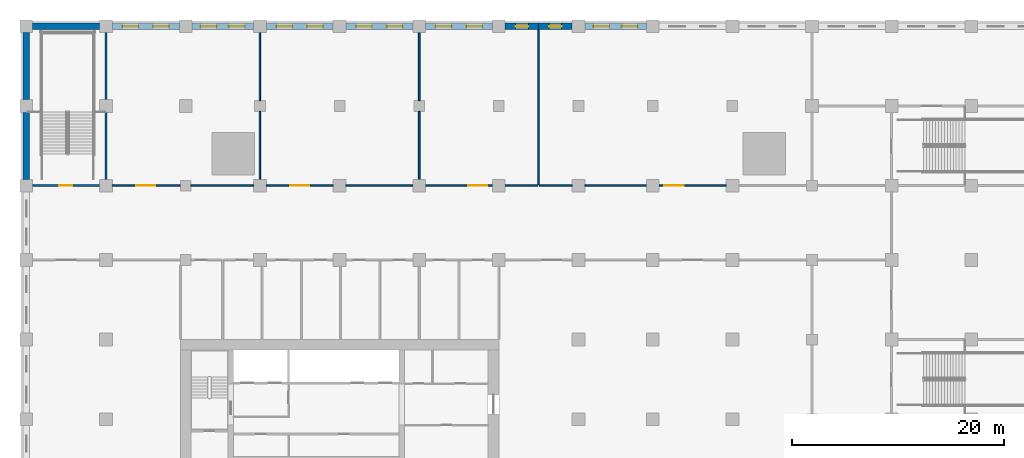
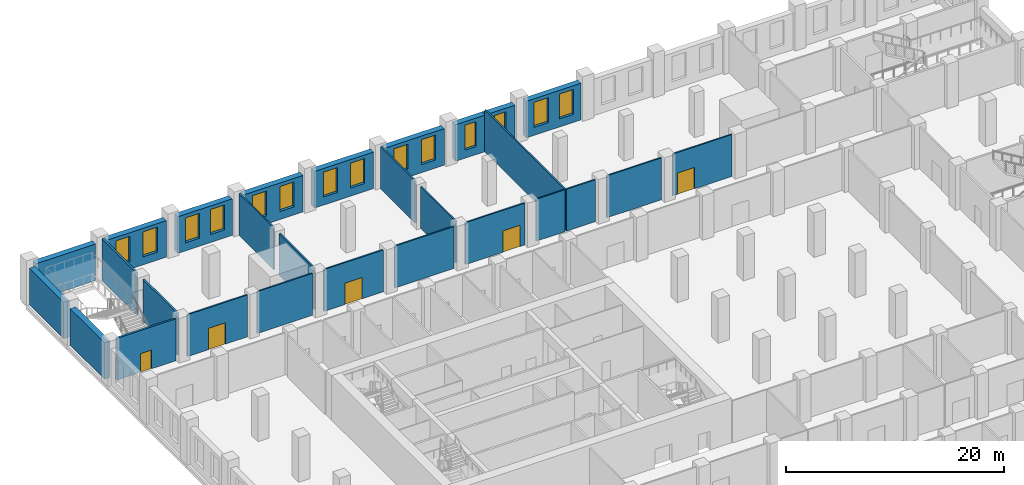
# One storey, part 9 of 32: 28 walls, 14 windows, 5 doors, 19 openings.
"""IFC4 building model written with IfcOpenShell, lengths in metres."""

from ifc_helpers import new_model, si_unit, direction, frame, frame_2d, origin, place, context, subcontext, project, spatial, rectangle, extrude, material, layer, layer_set, type_object, element, fill, save


model = new_model("IFC4")

# Units and contexts
model_context = context("Model", 3, precision=1e-05, world=origin(), true_north=direction((0.0, 1.0)))
body_context = subcontext(model_context, "Body", "Model", "MODEL_VIEW")
ifc_project = project(units=[si_unit("LENGTHUNIT", "METRE"), si_unit("AREAUNIT", "SQUARE_METRE"), si_unit("VOLUMEUNIT", "CUBIC_METRE"), si_unit("PLANEANGLEUNIT", "RADIAN"), si_unit("MASSUNIT", "GRAM", prefix="KILO")], contexts=[model_context])

# Site, building, storey
site_placement = place(None, origin())
site = spatial("IfcSite", under=ifc_project, at=site_placement, CompositionType="ELEMENT")
building_placement = place(site_placement, origin())
building = spatial("IfcBuilding", under=site, at=building_placement, Name="Tamorin Gate", CompositionType="ELEMENT")
storey_placement = place(building_placement, frame((0.0, 0.0, 13.5)))
storey = spatial("IfcBuildingStorey", under=building, at=storey_placement, Name="L02", CompositionType="ELEMENT", Elevation=13.5)

# Wall, opening, door
ifc_material_1 = material(Name="Concrete masonry C20/25", Category="masonry")
ifc_layer_1 = layer(ifc_material_1, 0.14990234375)
ifc_layer_set_1 = layer_set([ifc_layer_1], Name="Partition 150")
wall_type_1 = type_object("IfcWallType", Name="Partition 150", PredefinedType="PARTITIONING", material=ifc_layer_set_1)
wall_1_placement = place(storey_placement, frame((30.0, 97.0, 0.0), z_axis=(0.0, 0.0, 1.0), x_axis=(-1.0, 0.0, 0.0)))
wall_1 = element("IfcWall", 1, at=wall_1_placement, inside=storey, type_object=wall_type_1, Name="Partition 150 L02", PredefinedType="PARTITIONING", context=body_context, shape_type="SweptSolid", body=[
    extrude(rectangle(XDim=6.39990234375, YDim=0.14990234375, at=frame_2d((3.199951171875, 0.0))), origin(), (0.0, 0.0, 1.0), 4.699951171875),
])
opening_1_placement = place(wall_1_placement, frame((2.35009765625, 0.0, 0.0)))
opening_1 = element("IfcOpeningElement", 2, at=opening_1_placement, cuts=wall_1, Name="Opening DP3", PredefinedType="OPENING", context=body_context, shape_type="SweptSolid", body=[
    extrude(rectangle(XDim=1.800048828125, YDim=2.39990234375, at=frame_2d((0.89990234375, 1.199951171875))), frame((0.0, 0.0849609375, 0.0), z_axis=(0.0, -1.0, 0.0), x_axis=(1.0, 0.0, 0.0)), (0.0, 0.0, 1.0), 0.169921875),
])
ifc_material_2 = material(Name="Steel and glass", Category="steel")
door_type_1 = type_object("IfcDoorType", Name="Door pair 1800", OperationType="DOUBLE_DOOR_SINGLE_SWING", PredefinedType="DOOR", material=ifc_material_2)
door_1_placement = place(opening_1_placement, origin())
door_1 = element("IfcDoor", 3, at=door_1_placement, inside=storey, type_object=door_type_1, Name="Door pair 1800 L02", OperationType="SINGLE_SWING_LEFT", OverallHeight=2.39990234375, OverallWidth=1.800048828125, PredefinedType="DOOR", context=body_context, shape_type="SweptSolid", body=[
    extrude(rectangle(XDim=1.800048828125, YDim=2.39990234375, at=frame_2d((0.89990234375, 1.199951171875))), frame((0.0, 0.02490234375, 0.0), z_axis=(0.0, -1.0, 0.0), x_axis=(1.0, 0.0, 0.0)), (0.0, 0.0, 1.0), 0.050048828125),
])
fill(opening_1, door_1)

# Wall
wall_2_placement = place(storey_placement, frame((31.0, 97.0, 0.0), z_axis=(0.0, 0.0, 1.0), x_axis=(1.0, 0.0, 0.0)))
element("IfcWall", 4, at=wall_2_placement, inside=storey, type_object=wall_type_1, Name="Partition 150 L02", PredefinedType="PARTITIONING", context=body_context, shape_type="SweptSolid", body=[
    extrude(rectangle(XDim=5.89990234375, YDim=0.14990234375, at=frame_2d((2.949951171875, 0.0))), origin(), (0.0, 0.0, 1.0), 4.699951171875),
])

# Wall, opening, door
wall_3_placement = place(storey_placement, frame((44.39990234375, 97.0, 0.0), z_axis=(0.0, 0.0, 1.0), x_axis=(-1.0, 0.0, 0.0)))
wall_3 = element("IfcWall", 5, at=wall_3_placement, inside=storey, type_object=wall_type_1, Name="Partition 150 L02", PredefinedType="PARTITIONING", context=body_context, shape_type="SweptSolid", body=[
    extrude(rectangle(XDim=6.2998046875, YDim=0.14990234375, at=frame_2d((3.14990234375, 0.0))), origin(), (0.0, 0.0, 1.0), 4.699951171875),
])
opening_2_placement = place(wall_3_placement, frame((2.25, 0.0, 0.0)))
opening_2 = element("IfcOpeningElement", 6, at=opening_2_placement, cuts=wall_3, Name="Opening DP3", PredefinedType="OPENING", context=body_context, shape_type="SweptSolid", body=[
    extrude(rectangle(XDim=1.800048828125, YDim=2.39990234375, at=frame_2d((0.89990234375, 1.199951171875))), frame((0.0, 0.0849609375, 0.0), z_axis=(0.0, -1.0, 0.0), x_axis=(1.0, 0.0, 0.0)), (0.0, 0.0, 1.0), 0.169921875),
])
door_2_placement = place(opening_2_placement, origin())
door_2 = element("IfcDoor", 7, at=door_2_placement, inside=storey, type_object=door_type_1, Name="Door pair 1800 L02", OperationType="SINGLE_SWING_LEFT", OverallHeight=2.39990234375, OverallWidth=1.800048828125, PredefinedType="DOOR", context=body_context, shape_type="SweptSolid", body=[
    extrude(rectangle(XDim=1.800048828125, YDim=2.39990234375, at=frame_2d((0.89990234375, 1.199951171875))), frame((0.0, 0.02490234375, 0.0), z_axis=(0.0, -1.0, 0.0), x_axis=(1.0, 0.0, 0.0)), (0.0, 0.0, 1.0), 0.050048828125),
])
fill(opening_2, door_2)

# Wall
wall_4_placement = place(storey_placement, frame((45.60009765625, 97.0, 0.0), z_axis=(0.0, 0.0, 1.0), x_axis=(1.0, 0.0, 0.0)))
element("IfcWall", 8, at=wall_4_placement, inside=storey, type_object=wall_type_1, Name="Partition 150 L02", PredefinedType="PARTITIONING", context=body_context, shape_type="SweptSolid", body=[
    extrude(rectangle(XDim=6.2998046875, YDim=0.14990234375, at=frame_2d((3.14990234375, 0.0))), origin(), (0.0, 0.0, 1.0), 4.699951171875),
])

# Wall, opening, door
wall_5_placement = place(storey_placement, frame((59.39990234375, 97.0, 0.0), z_axis=(0.0, 0.0, 1.0), x_axis=(-1.0, 0.0, 0.0)))
wall_5 = element("IfcWall", 9, at=wall_5_placement, inside=storey, type_object=wall_type_1, Name="Partition 150 L02", PredefinedType="PARTITIONING", context=body_context, shape_type="SweptSolid", body=[
    extrude(rectangle(XDim=6.2998046875, YDim=0.14990234375, at=frame_2d((3.14990234375, 0.0))), origin(), (0.0, 0.0, 1.0), 4.699951171875),
])
opening_3_placement = place(wall_5_placement, frame((0.5, 0.0, 0.0)))
opening_3 = element("IfcOpeningElement", 10, at=opening_3_placement, cuts=wall_5, Name="Opening DP3", PredefinedType="OPENING", context=body_context, shape_type="SweptSolid", body=[
    extrude(rectangle(XDim=1.800048828125, YDim=2.39990234375, at=frame_2d((0.89990234375, 1.199951171875))), frame((0.0, 0.0849609375, 0.0), z_axis=(0.0, -1.0, 0.0), x_axis=(1.0, 0.0, 0.0)), (0.0, 0.0, 1.0), 0.169921875),
])
door_3_placement = place(opening_3_placement, origin())
door_3 = element("IfcDoor", 11, at=door_3_placement, inside=storey, type_object=door_type_1, Name="Door pair 1800 L02", OperationType="SINGLE_SWING_LEFT", OverallHeight=2.39990234375, OverallWidth=1.800048828125, PredefinedType="DOOR", context=body_context, shape_type="SweptSolid", body=[
    extrude(rectangle(XDim=1.800048828125, YDim=2.39990234375, at=frame_2d((0.89990234375, 1.199951171875))), frame((0.0, 0.02490234375, 0.0), z_axis=(0.0, -1.0, 0.0), x_axis=(1.0, 0.0, 0.0)), (0.0, 0.0, 1.0), 0.050048828125),
])
fill(opening_3, door_3)

# Walls
for number, where, z_axis, x_axis, name in (
    (12, (60.60009765625, 97.0, 0.0), (0.0, 0.0, 1.0), (1.0, 0.0, 0.0), "Partition 150 L02"),
    (13, (63.824951171875, 97.0, 0.0), (0.0, 0.0, 1.0), (1.0, 0.0, 0.0), "Partition 150 L02"),
):
    element("IfcWall", number, at=place(storey_placement, frame(where, z_axis=z_axis, x_axis=x_axis)), inside=storey, type_object=wall_type_1, Name=name, PredefinedType="PARTITIONING", context=body_context, shape_type="SweptSolid", body=[
        extrude(rectangle(XDim=3.074951171875, YDim=0.14990234375, at=frame_2d((1.53759765625, 0.0))), origin(), (0.0, 0.0, 1.0), 4.699951171875),
    ])
wall_6_placement = place(storey_placement, frame((68.10009765625, 97.0, 0.0), z_axis=(0.0, 0.0, 1.0), x_axis=(1.0, 0.0, 0.0)))
element("IfcWall", 14, at=wall_6_placement, inside=storey, type_object=wall_type_1, Name="Partition 150 L02", PredefinedType="PARTITIONING", context=body_context, shape_type="SweptSolid", body=[
    extrude(rectangle(XDim=5.7998046875, YDim=0.14990234375, at=frame_2d((2.89990234375, 0.0))), origin(), (0.0, 0.0, 1.0), 4.699951171875),
])

# Wall, opening, door
wall_7_placement = place(storey_placement, frame((81.39990234375, 97.0, 0.0), z_axis=(0.0, 0.0, 1.0), x_axis=(-1.0, 0.0, 0.0)))
wall_7 = element("IfcWall", 15, at=wall_7_placement, inside=storey, type_object=wall_type_1, Name="Partition 150 L02", PredefinedType="PARTITIONING", context=body_context, shape_type="SweptSolid", body=[
    extrude(rectangle(XDim=6.2998046875, YDim=0.14990234375, at=frame_2d((3.14990234375, 0.0))), origin(), (0.0, 0.0, 1.0), 4.699951171875),
])
opening_4_placement = place(wall_7_placement, frame((4.0, 0.0, 0.0)))
opening_4 = element("IfcOpeningElement", 16, at=opening_4_placement, cuts=wall_7, Name="Opening DP3", PredefinedType="OPENING", context=body_context, shape_type="SweptSolid", body=[
    extrude(rectangle(XDim=1.800048828125, YDim=2.39990234375, at=frame_2d((0.89990234375, 1.199951171875))), frame((0.0, 0.0849609375, 0.0), z_axis=(0.0, -1.0, 0.0), x_axis=(1.0, 0.0, 0.0)), (0.0, 0.0, 1.0), 0.169921875),
])
door_4_placement = place(opening_4_placement, origin())
door_4 = element("IfcDoor", 17, at=door_4_placement, inside=storey, type_object=door_type_1, Name="Door pair 1800 L02", OperationType="SINGLE_SWING_LEFT", OverallHeight=2.39990234375, OverallWidth=1.800048828125, PredefinedType="DOOR", context=body_context, shape_type="SweptSolid", body=[
    extrude(rectangle(XDim=1.800048828125, YDim=2.39990234375, at=frame_2d((0.89990234375, 1.199951171875))), frame((0.0, 0.02490234375, 0.0), z_axis=(0.0, -1.0, 0.0), x_axis=(1.0, 0.0, 0.0)), (0.0, 0.0, 1.0), 0.050048828125),
])
fill(opening_4, door_4)

# Walls
wall_8_placement = place(storey_placement, frame((63.75, 97.074951171875, 0.0), z_axis=(0.0, 0.0, 1.0), x_axis=(0.0, 1.0, 0.0)))
element("IfcWall", 18, at=wall_8_placement, inside=storey, type_object=wall_type_1, Name="Partition 150 L02", PredefinedType="PARTITIONING", context=body_context, shape_type="SweptSolid", body=[
    extrude(rectangle(XDim=14.625, YDim=0.14990234375, at=frame_2d((7.3125, 0.0))), origin(), (0.0, 0.0, 1.0), 4.699951171875),
])
for number, where, z_axis, x_axis, name in (
    (19, (37.5, 97.60009765625, 0.0), (0.0, 0.0, 1.0), (0.0, 1.0, 0.0), "Partition 150 L02"),
    (20, (37.5, 105.0, 0.0), (0.0, 0.0, 1.0), (0.0, 1.0, 0.0), "Partition 150 L02"),
    (21, (52.5, 97.60009765625, 0.0), (0.0, 0.0, 1.0), (0.0, 1.0, 0.0), "Partition 150 L02"),
    (22, (52.5, 105.0, 0.0), (0.0, 0.0, 1.0), (0.0, 1.0, 0.0), "Partition 150 L02"),
):
    element("IfcWall", number, at=place(storey_placement, frame(where, z_axis=z_axis, x_axis=x_axis)), inside=storey, type_object=wall_type_1, Name=name, PredefinedType="PARTITIONING", context=body_context, shape_type="SweptSolid", body=[
        extrude(rectangle(XDim=6.39990234375, YDim=0.14990234375, at=frame_2d((3.199951171875, 0.0))), origin(), (0.0, 0.0, 1.0), 4.699951171875),
    ])
ifc_material_3 = material(Name="Precast concrete C40/50", Category="concrete")
ifc_layer_2 = layer(ifc_material_3, 0.60009765625)
ifc_layer_set_2 = layer_set([ifc_layer_2], Name="Precast concrete C40/50")
wall_type_2 = type_object("IfcWallType", Name="Precast plinth wall 600", PredefinedType="PARTITIONING", material=ifc_layer_set_2)
wall_9_placement = place(storey_placement, frame((16.10009765625, 112.0, 0.0), z_axis=(0.0, 0.0, 1.0), x_axis=(1.0, 0.0, 0.0)))
element("IfcWall", 23, at=wall_9_placement, inside=storey, type_object=wall_type_2, Name="Precast plinth wall 600 L02", PredefinedType="PARTITIONING", context=body_context, shape_type="SweptSolid", body=[
    extrude(rectangle(XDim=6.2998046875, YDim=0.60009765625, at=frame_2d((3.14990234375, 0.0))), origin(), (0.0, 0.0, 1.0), 4.10009765625),
])

# Wall, openings, windows
wall_10_placement = place(storey_placement, frame((23.60009765625, 112.0, 0.0), z_axis=(0.0, 0.0, 1.0), x_axis=(1.0, 0.0, 0.0)))
wall_10 = element("IfcWall", 24, at=wall_10_placement, inside=storey, type_object=wall_type_2, Name="Precast plinth wall 600 L02", PredefinedType="PARTITIONING", context=body_context, shape_type="SweptSolid", body=[
    extrude(rectangle(XDim=6.2998046875, YDim=0.60009765625, at=frame_2d((3.14990234375, 0.0))), origin(), (0.0, 0.0, 1.0), 4.10009765625),
])
opening_5_placement = place(wall_10_placement, frame((0.950927734375, 0.0, 0.89990234375)))
opening_5 = element("IfcOpeningElement", 25, at=opening_5_placement, cuts=wall_10, Name="Opening PWN5", PredefinedType="OPENING", context=body_context, shape_type="SweptSolid", body=[
    extrude(rectangle(XDim=1.5, YDim=2.800048828125, at=frame_2d((0.75, 1.39990234375))), frame((0.0, 0.31005859375, 0.0), z_axis=(0.0, -1.0, 0.0), x_axis=(1.0, 0.0, 0.0)), (0.0, 0.0, 1.0), 0.6201171875),
])
opening_6_placement = place(wall_10_placement, frame((3.84912109375, 0.0, 0.89990234375)))
opening_6 = element("IfcOpeningElement", 26, at=opening_6_placement, cuts=wall_10, Name="Opening PWN5", PredefinedType="OPENING", context=body_context, shape_type="SweptSolid", body=[
    extrude(rectangle(XDim=1.5, YDim=2.800048828125, at=frame_2d((0.75, 1.39990234375))), frame((0.0, 0.31005859375, 0.0), z_axis=(0.0, -1.0, 0.0), x_axis=(1.0, 0.0, 0.0)), (0.0, 0.0, 1.0), 0.6201171875),
])
ifc_material_4 = material(Name="Aluminium and glass", Category="aluminium")
window_type_1 = type_object("IfcWindowType", Name="Plinth window 1500x2800", PartitioningType="DOUBLE_PANEL_VERTICAL", PredefinedType="WINDOW", material=ifc_material_4)
window_1_placement = place(opening_5_placement, origin())
window_1 = element("IfcWindow", 27, at=window_1_placement, inside=storey, type_object=window_type_1, Name="Plinth window 1500x2800", OverallHeight=2.800048828125, OverallWidth=1.5, PartitioningType="SINGLE_PANEL", PredefinedType="WINDOW", context=body_context, shape_type="SweptSolid", body=[
    extrude(rectangle(XDim=1.5, YDim=2.800048828125, at=frame_2d((0.75, 1.39990234375))), frame((0.0, 0.030029296875, 0.0), z_axis=(0.0, -1.0, 0.0), x_axis=(1.0, 0.0, 0.0)), (0.0, 0.0, 1.0), 0.06005859375),
])
fill(opening_5, window_1)
window_2_placement = place(opening_6_placement, origin())
window_2 = element("IfcWindow", 28, at=window_2_placement, inside=storey, type_object=window_type_1, Name="Plinth window 1500x2800", OverallHeight=2.800048828125, OverallWidth=1.5, PartitioningType="SINGLE_PANEL", PredefinedType="WINDOW", context=body_context, shape_type="SweptSolid", body=[
    extrude(rectangle(XDim=1.5, YDim=2.800048828125, at=frame_2d((0.75, 1.39990234375))), frame((0.0, 0.030029296875, 0.0), z_axis=(0.0, -1.0, 0.0), x_axis=(1.0, 0.0, 0.0)), (0.0, 0.0, 1.0), 0.06005859375),
])
fill(opening_6, window_2)

wall_11_placement = place(storey_placement, frame((31.10009765625, 112.0, 0.0), z_axis=(0.0, 0.0, 1.0), x_axis=(1.0, 0.0, 0.0)))
wall_11 = element("IfcWall", 29, at=wall_11_placement, inside=storey, type_object=wall_type_2, Name="Precast plinth wall 600 L02", PredefinedType="PARTITIONING", context=body_context, shape_type="SweptSolid", body=[
    extrude(rectangle(XDim=5.7998046875, YDim=0.60009765625, at=frame_2d((2.89990234375, 0.0))), origin(), (0.0, 0.0, 1.0), 4.10009765625),
])
opening_7_placement = place(wall_11_placement, frame((0.81591796875, 0.0, 0.89990234375)))
opening_7 = element("IfcOpeningElement", 30, at=opening_7_placement, cuts=wall_11, Name="Opening PWN5", PredefinedType="OPENING", context=body_context, shape_type="SweptSolid", body=[
    extrude(rectangle(XDim=1.5, YDim=2.800048828125, at=frame_2d((0.75, 1.39990234375))), frame((0.0, 0.31005859375, 0.0), z_axis=(0.0, -1.0, 0.0), x_axis=(1.0, 0.0, 0.0)), (0.0, 0.0, 1.0), 0.6201171875),
])
opening_8_placement = place(wall_11_placement, frame((3.48388671875, 0.0, 0.89990234375)))
opening_8 = element("IfcOpeningElement", 31, at=opening_8_placement, cuts=wall_11, Name="Opening PWN5", PredefinedType="OPENING", context=body_context, shape_type="SweptSolid", body=[
    extrude(rectangle(XDim=1.5, YDim=2.800048828125, at=frame_2d((0.75, 1.39990234375))), frame((0.0, 0.31005859375, 0.0), z_axis=(0.0, -1.0, 0.0), x_axis=(1.0, 0.0, 0.0)), (0.0, 0.0, 1.0), 0.6201171875),
])
window_3_placement = place(opening_7_placement, origin())
window_3 = element("IfcWindow", 32, at=window_3_placement, inside=storey, type_object=window_type_1, Name="Plinth window 1500x2800", OverallHeight=2.800048828125, OverallWidth=1.5, PartitioningType="SINGLE_PANEL", PredefinedType="WINDOW", context=body_context, shape_type="SweptSolid", body=[
    extrude(rectangle(XDim=1.5, YDim=2.800048828125, at=frame_2d((0.75, 1.39990234375))), frame((0.0, 0.030029296875, 0.0), z_axis=(0.0, -1.0, 0.0), x_axis=(1.0, 0.0, 0.0)), (0.0, 0.0, 1.0), 0.06005859375),
])
fill(opening_7, window_3)
window_4_placement = place(opening_8_placement, origin())
window_4 = element("IfcWindow", 33, at=window_4_placement, inside=storey, type_object=window_type_1, Name="Plinth window 1500x2800", OverallHeight=2.800048828125, OverallWidth=1.5, PartitioningType="SINGLE_PANEL", PredefinedType="WINDOW", context=body_context, shape_type="SweptSolid", body=[
    extrude(rectangle(XDim=1.5, YDim=2.800048828125, at=frame_2d((0.75, 1.39990234375))), frame((0.0, 0.030029296875, 0.0), z_axis=(0.0, -1.0, 0.0), x_axis=(1.0, 0.0, 0.0)), (0.0, 0.0, 1.0), 0.06005859375),
])
fill(opening_8, window_4)

wall_12_placement = place(storey_placement, frame((38.10009765625, 112.0, 0.0), z_axis=(0.0, 0.0, 1.0), x_axis=(1.0, 0.0, 0.0)))
wall_12 = element("IfcWall", 34, at=wall_12_placement, inside=storey, type_object=wall_type_2, Name="Precast plinth wall 600 L02", PredefinedType="PARTITIONING", context=body_context, shape_type="SweptSolid", body=[
    extrude(rectangle(XDim=6.2998046875, YDim=0.60009765625, at=frame_2d((3.14990234375, 0.0))), origin(), (0.0, 0.0, 1.0), 4.10009765625),
])
opening_9_placement = place(wall_12_placement, frame((0.950927734375, 0.0, 0.89990234375)))
opening_9 = element("IfcOpeningElement", 35, at=opening_9_placement, cuts=wall_12, Name="Opening PWN5", PredefinedType="OPENING", context=body_context, shape_type="SweptSolid", body=[
    extrude(rectangle(XDim=1.5, YDim=2.800048828125, at=frame_2d((0.75, 1.39990234375))), frame((0.0, 0.31005859375, 0.0), z_axis=(0.0, -1.0, 0.0), x_axis=(1.0, 0.0, 0.0)), (0.0, 0.0, 1.0), 0.6201171875),
])
opening_10_placement = place(wall_12_placement, frame((3.84912109375, 0.0, 0.89990234375)))
opening_10 = element("IfcOpeningElement", 36, at=opening_10_placement, cuts=wall_12, Name="Opening PWN5", PredefinedType="OPENING", context=body_context, shape_type="SweptSolid", body=[
    extrude(rectangle(XDim=1.5, YDim=2.800048828125, at=frame_2d((0.75, 1.39990234375))), frame((0.0, 0.31005859375, 0.0), z_axis=(0.0, -1.0, 0.0), x_axis=(1.0, 0.0, 0.0)), (0.0, 0.0, 1.0), 0.6201171875),
])
window_5_placement = place(opening_9_placement, origin())
window_5 = element("IfcWindow", 37, at=window_5_placement, inside=storey, type_object=window_type_1, Name="Plinth window 1500x2800", OverallHeight=2.800048828125, OverallWidth=1.5, PartitioningType="SINGLE_PANEL", PredefinedType="WINDOW", context=body_context, shape_type="SweptSolid", body=[
    extrude(rectangle(XDim=1.5, YDim=2.800048828125, at=frame_2d((0.75, 1.39990234375))), frame((0.0, 0.030029296875, 0.0), z_axis=(0.0, -1.0, 0.0), x_axis=(1.0, 0.0, 0.0)), (0.0, 0.0, 1.0), 0.06005859375),
])
fill(opening_9, window_5)
window_6_placement = place(opening_10_placement, origin())
window_6 = element("IfcWindow", 38, at=window_6_placement, inside=storey, type_object=window_type_1, Name="Plinth window 1500x2800", OverallHeight=2.800048828125, OverallWidth=1.5, PartitioningType="SINGLE_PANEL", PredefinedType="WINDOW", context=body_context, shape_type="SweptSolid", body=[
    extrude(rectangle(XDim=1.5, YDim=2.800048828125, at=frame_2d((0.75, 1.39990234375))), frame((0.0, 0.030029296875, 0.0), z_axis=(0.0, -1.0, 0.0), x_axis=(1.0, 0.0, 0.0)), (0.0, 0.0, 1.0), 0.06005859375),
])
fill(opening_10, window_6)

wall_13_placement = place(storey_placement, frame((45.60009765625, 112.0, 0.0), z_axis=(0.0, 0.0, 1.0), x_axis=(1.0, 0.0, 0.0)))
wall_13 = element("IfcWall", 39, at=wall_13_placement, inside=storey, type_object=wall_type_2, Name="Precast plinth wall 600 L02", PredefinedType="PARTITIONING", context=body_context, shape_type="SweptSolid", body=[
    extrude(rectangle(XDim=6.2998046875, YDim=0.60009765625, at=frame_2d((3.14990234375, 0.0))), origin(), (0.0, 0.0, 1.0), 4.10009765625),
])
opening_11_placement = place(wall_13_placement, frame((0.950927734375, 0.0, 0.89990234375)))
opening_11 = element("IfcOpeningElement", 40, at=opening_11_placement, cuts=wall_13, Name="Opening PWN5", PredefinedType="OPENING", context=body_context, shape_type="SweptSolid", body=[
    extrude(rectangle(XDim=1.5, YDim=2.800048828125, at=frame_2d((0.75, 1.39990234375))), frame((0.0, 0.31005859375, 0.0), z_axis=(0.0, -1.0, 0.0), x_axis=(1.0, 0.0, 0.0)), (0.0, 0.0, 1.0), 0.6201171875),
])
opening_12_placement = place(wall_13_placement, frame((3.84912109375, 0.0, 0.89990234375)))
opening_12 = element("IfcOpeningElement", 41, at=opening_12_placement, cuts=wall_13, Name="Opening PWN5", PredefinedType="OPENING", context=body_context, shape_type="SweptSolid", body=[
    extrude(rectangle(XDim=1.5, YDim=2.800048828125, at=frame_2d((0.75, 1.39990234375))), frame((0.0, 0.31005859375, 0.0), z_axis=(0.0, -1.0, 0.0), x_axis=(1.0, 0.0, 0.0)), (0.0, 0.0, 1.0), 0.6201171875),
])
window_7_placement = place(opening_11_placement, origin())
window_7 = element("IfcWindow", 42, at=window_7_placement, inside=storey, type_object=window_type_1, Name="Plinth window 1500x2800", OverallHeight=2.800048828125, OverallWidth=1.5, PartitioningType="SINGLE_PANEL", PredefinedType="WINDOW", context=body_context, shape_type="SweptSolid", body=[
    extrude(rectangle(XDim=1.5, YDim=2.800048828125, at=frame_2d((0.75, 1.39990234375))), frame((0.0, 0.030029296875, 0.0), z_axis=(0.0, -1.0, 0.0), x_axis=(1.0, 0.0, 0.0)), (0.0, 0.0, 1.0), 0.06005859375),
])
fill(opening_11, window_7)
window_8_placement = place(opening_12_placement, origin())
window_8 = element("IfcWindow", 43, at=window_8_placement, inside=storey, type_object=window_type_1, Name="Plinth window 1500x2800", OverallHeight=2.800048828125, OverallWidth=1.5, PartitioningType="SINGLE_PANEL", PredefinedType="WINDOW", context=body_context, shape_type="SweptSolid", body=[
    extrude(rectangle(XDim=1.5, YDim=2.800048828125, at=frame_2d((0.75, 1.39990234375))), frame((0.0, 0.030029296875, 0.0), z_axis=(0.0, -1.0, 0.0), x_axis=(1.0, 0.0, 0.0)), (0.0, 0.0, 1.0), 0.06005859375),
])
fill(opening_12, window_8)

wall_14_placement = place(storey_placement, frame((53.10009765625, 112.0, 0.0), z_axis=(0.0, 0.0, 1.0), x_axis=(1.0, 0.0, 0.0)))
wall_14 = element("IfcWall", 44, at=wall_14_placement, inside=storey, type_object=wall_type_2, Name="Precast plinth wall 600 L02", PredefinedType="PARTITIONING", context=body_context, shape_type="SweptSolid", body=[
    extrude(rectangle(XDim=6.2998046875, YDim=0.60009765625, at=frame_2d((3.14990234375, 0.0))), origin(), (0.0, 0.0, 1.0), 4.10009765625),
])
opening_13_placement = place(wall_14_placement, frame((0.950927734375, 0.0, 0.89990234375)))
opening_13 = element("IfcOpeningElement", 45, at=opening_13_placement, cuts=wall_14, Name="Opening PWN5", PredefinedType="OPENING", context=body_context, shape_type="SweptSolid", body=[
    extrude(rectangle(XDim=1.5, YDim=2.800048828125, at=frame_2d((0.75, 1.39990234375))), frame((0.0, 0.31005859375, 0.0), z_axis=(0.0, -1.0, 0.0), x_axis=(1.0, 0.0, 0.0)), (0.0, 0.0, 1.0), 0.6201171875),
])
opening_14_placement = place(wall_14_placement, frame((3.84912109375, 0.0, 0.89990234375)))
opening_14 = element("IfcOpeningElement", 46, at=opening_14_placement, cuts=wall_14, Name="Opening PWN5", PredefinedType="OPENING", context=body_context, shape_type="SweptSolid", body=[
    extrude(rectangle(XDim=1.5, YDim=2.800048828125, at=frame_2d((0.75, 1.39990234375))), frame((0.0, 0.31005859375, 0.0), z_axis=(0.0, -1.0, 0.0), x_axis=(1.0, 0.0, 0.0)), (0.0, 0.0, 1.0), 0.6201171875),
])
window_9_placement = place(opening_13_placement, origin())
window_9 = element("IfcWindow", 47, at=window_9_placement, inside=storey, type_object=window_type_1, Name="Plinth window 1500x2800", OverallHeight=2.800048828125, OverallWidth=1.5, PartitioningType="SINGLE_PANEL", PredefinedType="WINDOW", context=body_context, shape_type="SweptSolid", body=[
    extrude(rectangle(XDim=1.5, YDim=2.800048828125, at=frame_2d((0.75, 1.39990234375))), frame((0.0, 0.030029296875, 0.0), z_axis=(0.0, -1.0, 0.0), x_axis=(1.0, 0.0, 0.0)), (0.0, 0.0, 1.0), 0.06005859375),
])
fill(opening_13, window_9)
window_10_placement = place(opening_14_placement, origin())
window_10 = element("IfcWindow", 48, at=window_10_placement, inside=storey, type_object=window_type_1, Name="Plinth window 1500x2800", OverallHeight=2.800048828125, OverallWidth=1.5, PartitioningType="SINGLE_PANEL", PredefinedType="WINDOW", context=body_context, shape_type="SweptSolid", body=[
    extrude(rectangle(XDim=1.5, YDim=2.800048828125, at=frame_2d((0.75, 1.39990234375))), frame((0.0, 0.030029296875, 0.0), z_axis=(0.0, -1.0, 0.0), x_axis=(1.0, 0.0, 0.0)), (0.0, 0.0, 1.0), 0.06005859375),
])
fill(opening_14, window_10)

# Wall, opening, window
wall_15_placement = place(storey_placement, frame((60.60009765625, 112.0, 0.0), z_axis=(0.0, 0.0, 1.0), x_axis=(1.0, 0.0, 0.0)))
wall_15 = element("IfcWall", 49, at=wall_15_placement, inside=storey, type_object=wall_type_2, Name="Precast plinth wall 600 L02", PredefinedType="PARTITIONING", context=body_context, shape_type="SweptSolid", body=[
    extrude(rectangle(XDim=3.14990234375, YDim=0.60009765625, at=frame_2d((1.574951171875, 0.0))), origin(), (0.0, 0.0, 1.0), 4.10009765625),
])
opening_15_placement = place(wall_15_placement, frame((0.97509765625, 0.0, 0.89990234375)))
opening_15 = element("IfcOpeningElement", 50, at=opening_15_placement, cuts=wall_15, Name="Opening PWN4", PredefinedType="OPENING", context=body_context, shape_type="SweptSolid", body=[
    extrude(rectangle(XDim=1.199951171875, YDim=2.800048828125, at=frame_2d((0.60009765625, 1.39990234375))), frame((0.0, 0.31005859375, 0.0), z_axis=(0.0, -1.0, 0.0), x_axis=(1.0, 0.0, 0.0)), (0.0, 0.0, 1.0), 0.6201171875),
])
window_type_2 = type_object("IfcWindowType", Name="Plinth window 1200x2800", PartitioningType="DOUBLE_PANEL_VERTICAL", PredefinedType="WINDOW", material=ifc_material_4)
window_11_placement = place(opening_15_placement, origin())
window_11 = element("IfcWindow", 51, at=window_11_placement, inside=storey, type_object=window_type_2, Name="Plinth window 1200x2800", OverallHeight=2.800048828125, OverallWidth=1.199951171875, PartitioningType="SINGLE_PANEL", PredefinedType="WINDOW", context=body_context, shape_type="SweptSolid", body=[
    extrude(rectangle(XDim=1.199951171875, YDim=2.800048828125, at=frame_2d((0.60009765625, 1.39990234375))), frame((0.0, 0.030029296875, 0.0), z_axis=(0.0, -1.0, 0.0), x_axis=(1.0, 0.0, 0.0)), (0.0, 0.0, 1.0), 0.06005859375),
])
fill(opening_15, window_11)

wall_16_placement = place(storey_placement, frame((63.75, 112.0, 0.0), z_axis=(0.0, 0.0, 1.0), x_axis=(1.0, 0.0, 0.0)))
wall_16 = element("IfcWall", 52, at=wall_16_placement, inside=storey, type_object=wall_type_2, Name="Precast plinth wall 600 L02", PredefinedType="PARTITIONING", context=body_context, shape_type="SweptSolid", body=[
    extrude(rectangle(XDim=3.14990234375, YDim=0.60009765625, at=frame_2d((1.574951171875, 0.0))), origin(), (0.0, 0.0, 1.0), 4.10009765625),
])
opening_16_placement = place(wall_16_placement, frame((0.97509765625, 0.0, 0.89990234375)))
opening_16 = element("IfcOpeningElement", 53, at=opening_16_placement, cuts=wall_16, Name="Opening PWN4", PredefinedType="OPENING", context=body_context, shape_type="SweptSolid", body=[
    extrude(rectangle(XDim=1.199951171875, YDim=2.800048828125, at=frame_2d((0.60009765625, 1.39990234375))), frame((0.0, 0.31005859375, 0.0), z_axis=(0.0, -1.0, 0.0), x_axis=(1.0, 0.0, 0.0)), (0.0, 0.0, 1.0), 0.6201171875),
])
window_12_placement = place(opening_16_placement, origin())
window_12 = element("IfcWindow", 54, at=window_12_placement, inside=storey, type_object=window_type_2, Name="Plinth window 1200x2800", OverallHeight=2.800048828125, OverallWidth=1.199951171875, PartitioningType="SINGLE_PANEL", PredefinedType="WINDOW", context=body_context, shape_type="SweptSolid", body=[
    extrude(rectangle(XDim=1.199951171875, YDim=2.800048828125, at=frame_2d((0.60009765625, 1.39990234375))), frame((0.0, 0.030029296875, 0.0), z_axis=(0.0, -1.0, 0.0), x_axis=(1.0, 0.0, 0.0)), (0.0, 0.0, 1.0), 0.06005859375),
])
fill(opening_16, window_12)

# Wall, openings, windows
wall_17_placement = place(storey_placement, frame((68.10009765625, 112.0, 0.0), z_axis=(0.0, 0.0, 1.0), x_axis=(1.0, 0.0, 0.0)))
wall_17 = element("IfcWall", 55, at=wall_17_placement, inside=storey, type_object=wall_type_2, Name="Precast plinth wall 600 L02", PredefinedType="PARTITIONING", context=body_context, shape_type="SweptSolid", body=[
    extrude(rectangle(XDim=5.7998046875, YDim=0.60009765625, at=frame_2d((2.89990234375, 0.0))), origin(), (0.0, 0.0, 1.0), 4.10009765625),
])
opening_17_placement = place(wall_17_placement, frame((0.81591796875, 0.0, 0.89990234375)))
opening_17 = element("IfcOpeningElement", 56, at=opening_17_placement, cuts=wall_17, Name="Opening PWN5", PredefinedType="OPENING", context=body_context, shape_type="SweptSolid", body=[
    extrude(rectangle(XDim=1.5, YDim=2.800048828125, at=frame_2d((0.75, 1.39990234375))), frame((0.0, 0.31005859375, 0.0), z_axis=(0.0, -1.0, 0.0), x_axis=(1.0, 0.0, 0.0)), (0.0, 0.0, 1.0), 0.6201171875),
])
opening_18_placement = place(wall_17_placement, frame((3.48388671875, 0.0, 0.89990234375)))
opening_18 = element("IfcOpeningElement", 57, at=opening_18_placement, cuts=wall_17, Name="Opening PWN5", PredefinedType="OPENING", context=body_context, shape_type="SweptSolid", body=[
    extrude(rectangle(XDim=1.5, YDim=2.800048828125, at=frame_2d((0.75, 1.39990234375))), frame((0.0, 0.31005859375, 0.0), z_axis=(0.0, -1.0, 0.0), x_axis=(1.0, 0.0, 0.0)), (0.0, 0.0, 1.0), 0.6201171875),
])
window_13_placement = place(opening_17_placement, origin())
window_13 = element("IfcWindow", 58, at=window_13_placement, inside=storey, type_object=window_type_1, Name="Plinth window 1500x2800", OverallHeight=2.800048828125, OverallWidth=1.5, PartitioningType="SINGLE_PANEL", PredefinedType="WINDOW", context=body_context, shape_type="SweptSolid", body=[
    extrude(rectangle(XDim=1.5, YDim=2.800048828125, at=frame_2d((0.75, 1.39990234375))), frame((0.0, 0.030029296875, 0.0), z_axis=(0.0, -1.0, 0.0), x_axis=(1.0, 0.0, 0.0)), (0.0, 0.0, 1.0), 0.06005859375),
])
fill(opening_17, window_13)
window_14_placement = place(opening_18_placement, origin())
window_14 = element("IfcWindow", 59, at=window_14_placement, inside=storey, type_object=window_type_1, Name="Plinth window 1500x2800", OverallHeight=2.800048828125, OverallWidth=1.5, PartitioningType="SINGLE_PANEL", PredefinedType="WINDOW", context=body_context, shape_type="SweptSolid", body=[
    extrude(rectangle(XDim=1.5, YDim=2.800048828125, at=frame_2d((0.75, 1.39990234375))), frame((0.0, 0.030029296875, 0.0), z_axis=(0.0, -1.0, 0.0), x_axis=(1.0, 0.0, 0.0)), (0.0, 0.0, 1.0), 0.06005859375),
])
fill(opening_18, window_14)

# Walls
for number, where, z_axis, x_axis, name in (
    (60, (15.5, 97.60009765625, 0.0), (0.0, 0.0, 1.0), (0.0, 1.0, 0.0), "Precast plinth wall 600 L02"),
    (61, (15.5, 105.10009765625, 0.0), (0.0, 0.0, 1.0), (0.0, 1.0, 0.0), "Precast plinth wall 600 L02"),
):
    element("IfcWall", number, at=place(storey_placement, frame(where, z_axis=z_axis, x_axis=x_axis)), inside=storey, type_object=wall_type_2, Name=name, PredefinedType="PARTITIONING", context=body_context, shape_type="SweptSolid", body=[
        extrude(rectangle(XDim=6.2998046875, YDim=0.60009765625, at=frame_2d((3.14990234375, 0.0))), origin(), (0.0, 0.0, 1.0), 4.10009765625),
    ])

# Wall, opening, door
ifc_material_5 = material(Name="Concrete C40/50", Category="concrete")
ifc_layer_3 = layer(ifc_material_5, 0.199951171875)
ifc_layer_set_3 = layer_set([ifc_layer_3], Name="Stair enclosure 200")
wall_type_3 = type_object("IfcWallType", Name="Stair enclosure 200", PredefinedType="SHEAR", material=ifc_layer_set_3)
wall_18_placement = place(storey_placement, frame((16.10009765625, 97.0, 0.0), z_axis=(0.0, 0.0, 1.0), x_axis=(1.0, 0.0, 0.0)))
wall_18 = element("IfcWall", 62, at=wall_18_placement, inside=storey, type_object=wall_type_3, Name="Stair enclosure 200 L02", PredefinedType="SHEAR", context=body_context, shape_type="SweptSolid", body=[
    extrude(rectangle(XDim=6.2998046875, YDim=0.199951171875, at=frame_2d((3.14990234375, 0.0))), origin(), (0.0, 0.0, 1.0), 4.699951171875),
])
opening_19_placement = place(wall_18_placement, frame((2.5, 0.0, 0.0)))
opening_19 = element("IfcOpeningElement", 63, at=opening_19_placement, cuts=wall_18, Name="Opening DP5", PredefinedType="OPENING", context=body_context, shape_type="SweptSolid", body=[
    extrude(rectangle(XDim=1.199951171875, YDim=2.10009765625, at=frame_2d((0.60009765625, 1.050048828125))), frame((0.0, 0.10986328125, 0.0), z_axis=(0.0, -1.0, 0.0), x_axis=(1.0, 0.0, 0.0)), (0.0, 0.0, 1.0), 0.219970703125),
])
ifc_material_6 = material(Name="Painted steel", Category="steel")
door_type_2 = type_object("IfcDoorType", Name="Stair door 1200", OperationType="SINGLE_SWING_LEFT", PredefinedType="DOOR", material=ifc_material_6)
door_5_placement = place(opening_19_placement, origin())
door_5 = element("IfcDoor", 64, at=door_5_placement, inside=storey, type_object=door_type_2, Name="Stair door 1200 L02", OperationType="SINGLE_SWING_LEFT", OverallHeight=2.10009765625, OverallWidth=1.199951171875, PredefinedType="DOOR", context=body_context, shape_type="SweptSolid", body=[
    extrude(rectangle(XDim=1.199951171875, YDim=2.10009765625, at=frame_2d((0.60009765625, 1.050048828125))), frame((0.0, 0.02490234375, 0.0), z_axis=(0.0, -1.0, 0.0), x_axis=(1.0, 0.0, 0.0)), (0.0, 0.0, 1.0), 0.050048828125),
])
fill(opening_19, door_5)

# Walls
for number, where, z_axis, x_axis, name in (
    (65, (23.0, 97.60009765625, 0.0), (0.0, 0.0, 1.0), (0.0, 1.0, 0.0), "Stair enclosure 200 L02"),
    (66, (23.0, 105.10009765625, 0.0), (0.0, 0.0, 1.0), (0.0, 1.0, 0.0), "Stair enclosure 200 L02"),
):
    element("IfcWall", number, at=place(storey_placement, frame(where, z_axis=z_axis, x_axis=x_axis)), inside=storey, type_object=wall_type_3, Name=name, PredefinedType="SHEAR", context=body_context, shape_type="SweptSolid", body=[
        extrude(rectangle(XDim=6.2998046875, YDim=0.199951171875, at=frame_2d((3.14990234375, 0.0))), origin(), (0.0, 0.0, 1.0), 4.699951171875),
    ])

save(model, "model.ifc")
